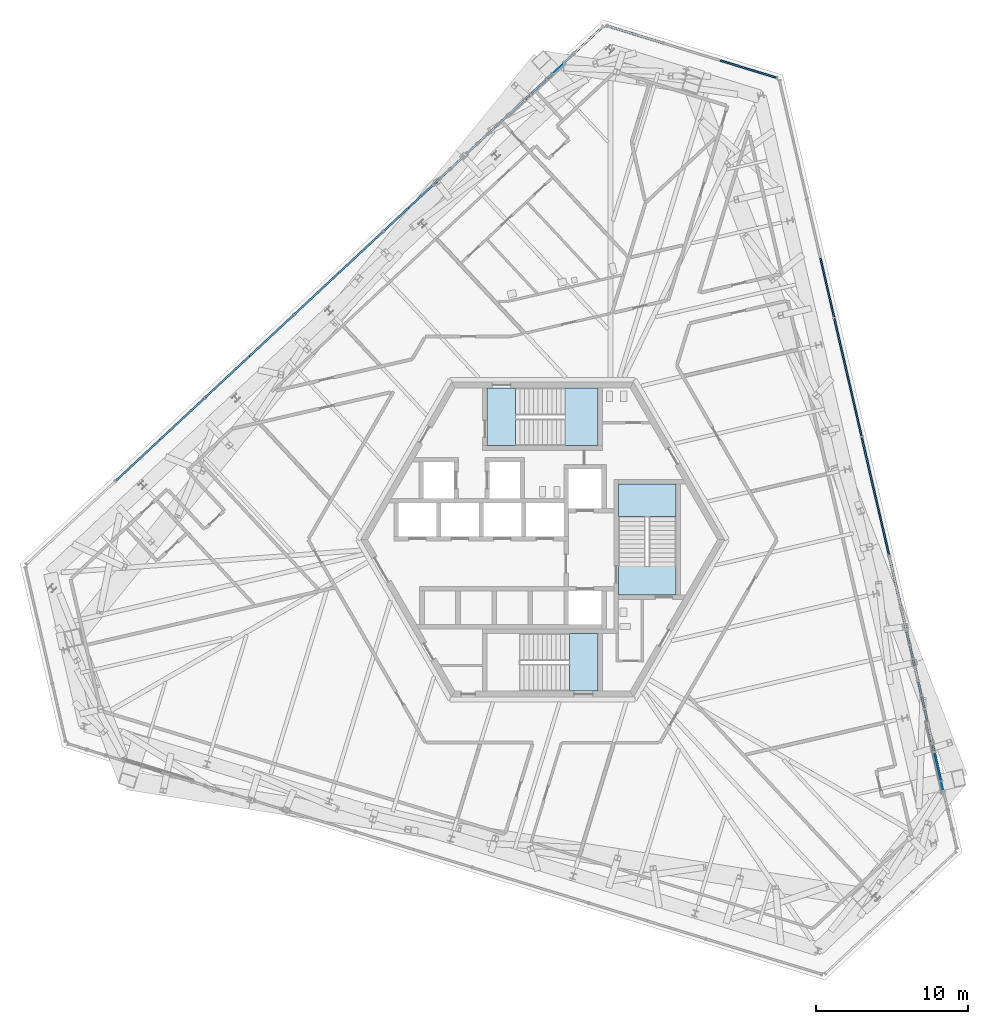
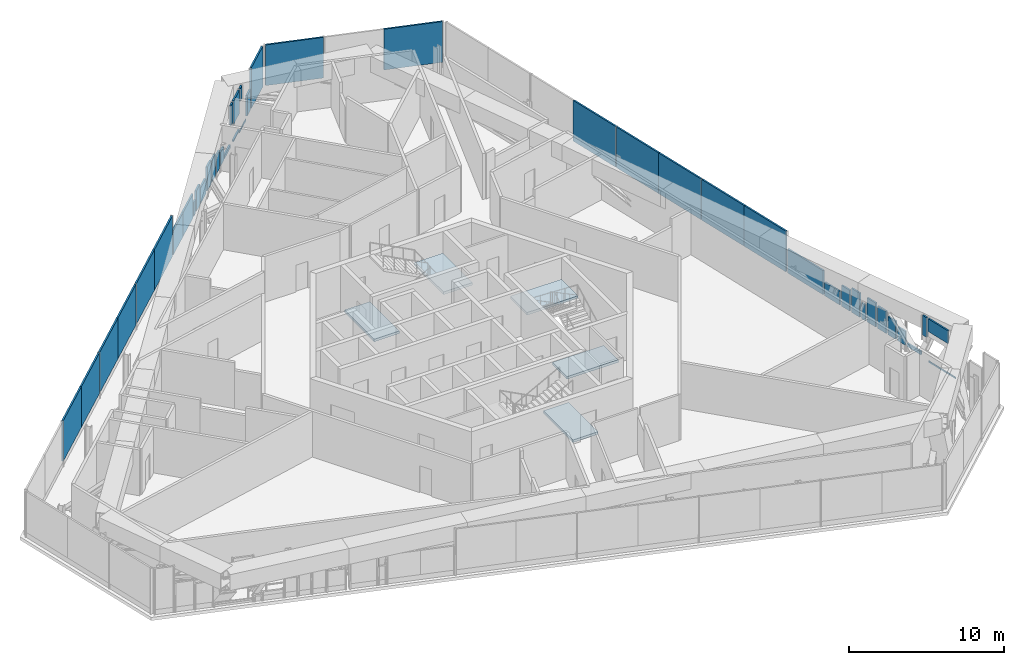
# One storey, part 16 of 31: 43 plates, 5 slabs, 35 elements without a shape of their own.
"""IFC4 building model written with IfcOpenShell, lengths in metres."""

from ifc_helpers import new_model, si_unit, direction, frame, origin, origin_2d, place, context, subcontext, project, spatial, polyline, rectangle, outline, extrude, source, transform, mapped, material, layer, layer_set, type_object, element, aggregate, save


model = new_model("IFC4")

# Units and contexts
model_context = context("Model", 3, precision=1e-05, world=origin(), true_north=direction((0.0, 1.0)))
body_context = subcontext(model_context, "Body", "Model", "MODEL_VIEW")
ifc_project = project(units=[si_unit("LENGTHUNIT", "METRE"), si_unit("AREAUNIT", "SQUARE_METRE"), si_unit("VOLUMEUNIT", "CUBIC_METRE"), si_unit("PLANEANGLEUNIT", "RADIAN"), si_unit("MASSUNIT", "GRAM", prefix="KILO")], contexts=[model_context])

# Site, building, storey
site_placement = place(None, origin())
site = spatial("IfcSite", under=ifc_project, at=site_placement, CompositionType="ELEMENT")
building_placement = place(site_placement, origin())
building = spatial("IfcBuilding", under=site, at=building_placement, Name="Triune Harvest Tower", CompositionType="ELEMENT")
storey_placement = place(building_placement, frame((0.0, 0.0, 134.300048828125)))
storey = spatial("IfcBuildingStorey", under=building, at=storey_placement, Name="L34", CompositionType="ELEMENT", Elevation=134.300048828125)

# Curtain wall, plate
ifc_material_1 = material(Name="Aluminium bronze anodised", Category="aluminium")
curtain_wall_type_1 = type_object("IfcCurtainWallType", Name="CW-5 Plant louvre wall", PredefinedType="NOTDEFINED", material=ifc_material_1)
curtain_wall_1_placement = place(storey_placement, origin())
curtain_wall_1 = element("IfcCurtainWall", 1, at=curtain_wall_1_placement, inside=storey, type_object=curtain_wall_type_1, Name="CW-5 B3-F1 L34 run 301")
ifc_material_2 = material(Name="Aluminium bronze anodised", Category="aluminium")
ifc_layer_1 = layer(ifc_material_2, 0.1201171875)
ifc_layer_set_1 = layer_set([ifc_layer_1], Name="Aluminium bronze anodised")
plate_type_1 = type_object("IfcPlateType", Name="GL-5 panel 120", PredefinedType="CURTAIN_PANEL", material=ifc_layer_set_1)
plate_1_placement = place(storey_placement, frame((26.061767578125, -14.979248046875, 2.594482421875), z_axis=(0.0, 0.0, 1.0), x_axis=(-0.224939324701, 0.974372772712, 0.0)))
plate_1 = element("IfcPlate", 2, at=plate_1_placement, type_object=plate_type_1, Name="CW-5 panel B3-F1 301.1", PredefinedType="CURTAIN_PANEL", context=body_context, shape_type="SweptSolid", body=[
    extrude(rectangle(XDim=1.85302734375, YDim=0.1201171875, at=origin_2d()), origin(), (0.0, 0.0, 1.0), 1.00537109375),
])
aggregate(curtain_wall_1, [plate_1])

curtain_wall_2_placement = place(storey_placement, origin())
curtain_wall_2 = element("IfcCurtainWall", 3, at=curtain_wall_2_placement, inside=storey, type_object=curtain_wall_type_1, Name="CW-5 B3-F1 L34 run 501")
plate_2_placement = place(storey_placement, frame((25.774658203125, -13.73583984375, 2.05517578125), z_axis=(0.0, 0.0, 1.0), x_axis=(-0.224913673807, 0.974378694007, 0.0)))
plate_2 = element("IfcPlate", 4, at=plate_2_placement, type_object=plate_type_1, Name="CW-5 panel B3-F1 501.1", PredefinedType="CURTAIN_PANEL", context=body_context, shape_type="SweptSolid", body=[
    extrude(rectangle(XDim=0.37939453125, YDim=0.1201171875, at=origin_2d()), origin(), (0.0, 0.0, 1.0), 1.544677734375),
])
aggregate(curtain_wall_2, [plate_2])

curtain_wall_3_placement = place(storey_placement, origin())
curtain_wall_3 = element("IfcCurtainWall", 5, at=curtain_wall_3_placement, inside=storey, type_object=curtain_wall_type_1, Name="CW-5 B3-F1 L34 run 601")
plate_3_placement = place(storey_placement, frame((25.5498046875, -12.76171875, 0.39990234375), z_axis=(0.0, 0.0, 1.0), x_axis=(-0.224994563611, 0.974360018856, 0.0)))
plate_3 = element("IfcPlate", 6, at=plate_3_placement, type_object=plate_type_1, Name="CW-5 panel B3-F1 601.1", PredefinedType="CURTAIN_PANEL", context=body_context, shape_type="SweptSolid", body=[
    extrude(rectangle(XDim=1.300048828125, YDim=0.1201171875, at=origin_2d()), origin(), (0.0, 0.0, 1.0), 0.254638671875),
])
aggregate(curtain_wall_3, [plate_3])

curtain_wall_4_placement = place(storey_placement, origin())
curtain_wall_4 = element("IfcCurtainWall", 7, at=curtain_wall_4_placement, inside=storey, type_object=curtain_wall_type_1, Name="CW-5 B3-F1 L34 run 701")
plate_4_placement = place(storey_placement, frame((25.28369140625, -11.608642578125, 0.39990234375), z_axis=(0.0, 0.0, 1.0), x_axis=(-0.22489978426, 0.974381899996, 0.0)))
plate_4 = element("IfcPlate", 8, at=plate_4_placement, type_object=plate_type_1, Name="CW-5 panel B3-F1 701.1", PredefinedType="CURTAIN_PANEL", context=body_context, shape_type="SweptSolid", body=[
    extrude(rectangle(XDim=0.74658203125, YDim=0.1201171875, at=origin_2d()), origin(), (0.0, 0.0, 1.0), 1.087890625),
])
aggregate(curtain_wall_4, [plate_4])

curtain_wall_5_placement = place(storey_placement, origin())
curtain_wall_5 = element("IfcCurtainWall", 9, at=curtain_wall_5_placement, inside=storey, type_object=curtain_wall_type_1, Name="CW-5 B3-F1 L34 run 1101")
plate_5_placement = place(storey_placement, frame((24.47705078125, -8.11474609375, 0.39990234375), z_axis=(0.0, 0.0, 1.0), x_axis=(-0.224832024901, 0.97439753724, 0.0)))
plate_5 = element("IfcPlate", 10, at=plate_5_placement, type_object=plate_type_1, Name="CW-5 panel B3-F1 1101.1", PredefinedType="CURTAIN_PANEL", context=body_context, shape_type="SweptSolid", body=[
    extrude(rectangle(XDim=0.37158203125, YDim=0.1201171875, at=origin_2d()), origin(), (0.0, 0.0, 1.0), 1.2255859375),
])
aggregate(curtain_wall_5, [plate_5])

curtain_wall_6_placement = place(storey_placement, origin())
curtain_wall_6 = element("IfcCurtainWall", 11, at=curtain_wall_6_placement, inside=storey, type_object=curtain_wall_type_1, Name="CW-5 B3-F1 L34 run 1201")
plate_6_placement = place(storey_placement, frame((24.311279296875, -7.396728515625, 0.39990234375), z_axis=(0.0, 0.0, 1.0), x_axis=(-0.224960301107, 0.974367929956, 0.0)))
plate_6 = element("IfcPlate", 12, at=plate_6_placement, type_object=plate_type_1, Name="CW-5 panel B3-F1 1201.1", PredefinedType="CURTAIN_PANEL", context=body_context, shape_type="SweptSolid", body=[
    extrude(rectangle(XDim=0.781982421875, YDim=0.1201171875, at=origin_2d()), origin(), (0.0, 0.0, 1.0), 1.889892578125),
])
aggregate(curtain_wall_6, [plate_6])

curtain_wall_7_placement = place(storey_placement, origin())
curtain_wall_7 = element("IfcCurtainWall", 13, at=curtain_wall_7_placement, inside=storey, type_object=curtain_wall_type_1, Name="CW-5 B3-F1 L34 run 1301")
plate_7_placement = place(storey_placement, frame((24.099365234375, -6.47900390625, 0.39990234375), z_axis=(0.0, 0.0, 1.0), x_axis=(-0.224960301107, 0.974367929956, 0.0)))
plate_7 = element("IfcPlate", 14, at=plate_7_placement, type_object=plate_type_1, Name="CW-5 panel B3-F1 1301.1", PredefinedType="CURTAIN_PANEL", context=body_context, shape_type="SweptSolid", body=[
    extrude(rectangle(XDim=0.781982421875, YDim=0.1201171875, at=origin_2d()), origin(), (0.0, 0.0, 1.0), 1.63720703125),
])
aggregate(curtain_wall_7, [plate_7])

curtain_wall_8_placement = place(storey_placement, origin())
curtain_wall_8 = element("IfcCurtainWall", 15, at=curtain_wall_8_placement, inside=storey, type_object=curtain_wall_type_1, Name="CW-5 B3-F1 L34 run 1401")
plate_8_placement = place(storey_placement, frame((23.816162109375, -5.252685546875, 0.39990234375), z_axis=(0.0, 0.0, 1.0), x_axis=(-0.224942969479, 0.974371931288, 0.0)))
plate_8 = element("IfcPlate", 16, at=plate_8_placement, type_object=plate_type_1, Name="CW-5 panel B3-F1 1401.1", PredefinedType="CURTAIN_PANEL", context=body_context, shape_type="SweptSolid", body=[
    extrude(rectangle(XDim=1.4150390625, YDim=0.1201171875, at=origin_2d()), origin(), (0.0, 0.0, 1.0), 1.067138671875),
])
aggregate(curtain_wall_8, [plate_8])

curtain_wall_9_placement = place(storey_placement, origin())
curtain_wall_9 = element("IfcCurtainWall", 17, at=curtain_wall_9_placement, inside=storey, type_object=curtain_wall_type_1, Name="CW-5 B3-F1 L34 run 1501")
plate_9_placement = place(storey_placement, frame((23.24462890625, -2.77685546875, 0.39990234375), z_axis=(0.0, 0.0, 1.0), x_axis=(-0.224965707407, 0.974366681743, 0.0)))
plate_9 = element("IfcPlate", 18, at=plate_9_placement, type_object=plate_type_1, Name="CW-5 panel B3-F1 1501.1", PredefinedType="CURTAIN_PANEL", context=body_context, shape_type="SweptSolid", body=[
    extrude(rectangle(XDim=3.34716796875, YDim=0.1201171875, at=origin_2d()), origin(), (0.0, 0.0, 1.0), 1.889892578125),
])
aggregate(curtain_wall_9, [plate_9])

curtain_wall_10_placement = place(storey_placement, origin())
curtain_wall_10 = element("IfcCurtainWall", 19, at=curtain_wall_10_placement, inside=storey, type_object=curtain_wall_type_1, Name="CW-5 B3-F2 L34 run 1")
plate_10_placement = place(storey_placement, frame((6.075927734375, 33.31201171875, 0.39990234375), z_axis=(0.0, 0.0, 1.0), x_axis=(-0.956303148607, 0.292376962095, 0.0)))
plate_10 = element("IfcPlate", 20, at=plate_10_placement, type_object=plate_type_1, Name="CW-5 panel B3-F2 1.3", PredefinedType="CURTAIN_PANEL", context=body_context, shape_type="SweptSolid", body=[
    extrude(rectangle(XDim=3.8291015625, YDim=0.1201171875, at=origin_2d()), origin(), (0.0, 0.0, 1.0), 3.199951171875),
])

curtain_wall_11_placement = place(storey_placement, origin())
curtain_wall_11 = element("IfcCurtainWall", 21, at=curtain_wall_11_placement, inside=storey, type_object=curtain_wall_type_1, Name="CW-5 B3-F3 L34 run 1")
plate_11_placement = place(storey_placement, frame((3.0400390625, 32.94921875, 0.39990234375), z_axis=(0.0, 0.0, 1.0), x_axis=(-0.731367701804, -0.681983346393, 0.0)))
plate_11 = element("IfcPlate", 22, at=plate_11_placement, type_object=plate_type_1, Name="CW-5 panel B3-F3 1.1", PredefinedType="CURTAIN_PANEL", context=body_context, shape_type="SweptSolid", body=[
    extrude(rectangle(XDim=2.510986328125, YDim=0.1201171875, at=origin_2d()), origin(), (0.0, 0.0, 1.0), 3.199951171875),
])
aggregate(curtain_wall_11, [plate_11])

curtain_wall_12_placement = place(storey_placement, origin())
curtain_wall_12 = element("IfcCurtainWall", 23, at=curtain_wall_12_placement, inside=storey, type_object=curtain_wall_type_1, Name="CW-5 B3-F3 L34 run 101")
plate_12_placement = place(storey_placement, frame((1.738525390625, 31.735595703125, 0.39990234375), z_axis=(0.0, 0.0, 1.0), x_axis=(-0.731324680325, -0.682029480263, 0.0)))
plate_12 = element("IfcPlate", 24, at=plate_12_placement, type_object=plate_type_1, Name="CW-5 panel B3-F3 101.1", PredefinedType="CURTAIN_PANEL", context=body_context, shape_type="SweptSolid", body=[
    extrude(rectangle(XDim=0.728515625, YDim=0.1201171875, at=origin_2d()), origin(), (0.0, 0.0, 1.0), 1.622802734375),
])
aggregate(curtain_wall_12, [plate_12])

curtain_wall_13_placement = place(storey_placement, origin())
curtain_wall_13 = element("IfcCurtainWall", 25, at=curtain_wall_13_placement, inside=storey, type_object=curtain_wall_type_1, Name="CW-5 B3-F3 L34 run 201")
plate_13_placement = place(storey_placement, frame((0.470458984375, 30.552978515625, 2.5947265625), z_axis=(0.0, 0.0, 1.0), x_axis=(-0.731313618515, -0.682041341397, 0.0)))
plate_13 = element("IfcPlate", 26, at=plate_13_placement, type_object=plate_type_1, Name="CW-5 panel B3-F3 201.1", PredefinedType="CURTAIN_PANEL", context=body_context, shape_type="SweptSolid", body=[
    extrude(rectangle(XDim=0.40625, YDim=0.1201171875, at=origin_2d()), origin(), (0.0, 0.0, 1.0), 1.00537109375),
])
aggregate(curtain_wall_13, [plate_13])

curtain_wall_14_placement = place(storey_placement, origin())
curtain_wall_14 = element("IfcCurtainWall", 27, at=curtain_wall_14_placement, inside=storey, type_object=curtain_wall_type_1, Name="CW-5 B3-F3 L34 run 301")
plate_14_placement = place(storey_placement, frame((-0.265625, 29.86669921875, 0.39990234375), z_axis=(0.0, 0.0, 1.0), x_axis=(-0.731351706392, -0.682000499676, 0.0)))
plate_14 = element("IfcPlate", 28, at=plate_14_placement, type_object=plate_type_1, Name="CW-5 panel B3-F3 301.1", PredefinedType="CURTAIN_PANEL", context=body_context, shape_type="SweptSolid", body=[
    extrude(rectangle(XDim=1.286865234375, YDim=0.1201171875, at=origin_2d()), origin(), (0.0, 0.0, 1.0), 0.12353515625),
])
aggregate(curtain_wall_14, [plate_14])

curtain_wall_15_placement = place(storey_placement, origin())
curtain_wall_15 = element("IfcCurtainWall", 29, at=curtain_wall_15_placement, inside=storey, type_object=curtain_wall_type_1, Name="CW-5 B3-F3 L34 run 401")
plate_15_placement = place(storey_placement, frame((-0.265625, 29.86669921875, 1.771484375), z_axis=(0.0, 0.0, 1.0), x_axis=(-0.731351706392, -0.682000499676, 0.0)))
plate_15 = element("IfcPlate", 30, at=plate_15_placement, type_object=plate_type_1, Name="CW-5 panel B3-F3 401.1", PredefinedType="CURTAIN_PANEL", context=body_context, shape_type="SweptSolid", body=[
    extrude(rectangle(XDim=1.286865234375, YDim=0.1201171875, at=origin_2d()), origin(), (0.0, 0.0, 1.0), 1.828369140625),
])
aggregate(curtain_wall_15, [plate_15])

curtain_wall_16_placement = place(storey_placement, origin())
curtain_wall_16 = element("IfcCurtainWall", 31, at=curtain_wall_16_placement, inside=storey, type_object=curtain_wall_type_1, Name="CW-5 B3-F3 L34 run 601")
plate_16_placement = place(storey_placement, frame((-0.991943359375, 29.189453125, 2.055419921875), z_axis=(0.0, 0.0, 1.0), x_axis=(-0.731425091209, -0.681921796066, 0.0)))
plate_16 = element("IfcPlate", 32, at=plate_16_placement, type_object=plate_type_1, Name="CW-5 panel B3-F3 601.1", PredefinedType="CURTAIN_PANEL", context=body_context, shape_type="SweptSolid", body=[
    extrude(rectangle(XDim=0.37939453125, YDim=0.1201171875, at=origin_2d()), origin(), (0.0, 0.0, 1.0), 1.54443359375),
])
aggregate(curtain_wall_16, [plate_16])

curtain_wall_17_placement = place(storey_placement, origin())
curtain_wall_17 = element("IfcCurtainWall", 33, at=curtain_wall_17_placement, inside=storey, type_object=curtain_wall_type_1, Name="CW-5 B3-F3 L34 run 701")
plate_17_placement = place(storey_placement, frame((-1.722900390625, 28.507568359375, 0.39990234375), z_axis=(0.0, 0.0, 1.0), x_axis=(-0.731335374519, -0.682018012942, 0.0)))
plate_17 = element("IfcPlate", 34, at=plate_17_placement, type_object=plate_type_1, Name="CW-5 panel B3-F3 701.1", PredefinedType="CURTAIN_PANEL", context=body_context, shape_type="SweptSolid", body=[
    extrude(rectangle(XDim=1.300048828125, YDim=0.1201171875, at=origin_2d()), origin(), (0.0, 0.0, 1.0), 0.255615234375),
])
aggregate(curtain_wall_17, [plate_17])

curtain_wall_18_placement = place(storey_placement, origin())
curtain_wall_18 = element("IfcCurtainWall", 35, at=curtain_wall_18_placement, inside=storey, type_object=curtain_wall_type_1, Name="CW-5 B3-F3 L34 run 801")
plate_18_placement = place(storey_placement, frame((-2.58837890625, 27.70068359375, 0.39990234375), z_axis=(0.0, 0.0, 1.0), x_axis=(-0.731326610512, -0.682027410561, 0.0)))
plate_18 = element("IfcPlate", 36, at=plate_18_placement, type_object=plate_type_1, Name="CW-5 panel B3-F3 801.1", PredefinedType="CURTAIN_PANEL", context=body_context, shape_type="SweptSolid", body=[
    extrude(rectangle(XDim=0.746826171875, YDim=0.1201171875, at=origin_2d()), origin(), (0.0, 0.0, 1.0), 1.087890625),
])
aggregate(curtain_wall_18, [plate_18])

curtain_wall_19_placement = place(storey_placement, origin())
curtain_wall_19 = element("IfcCurtainWall", 37, at=curtain_wall_19_placement, inside=storey, type_object=curtain_wall_type_1, Name="CW-5 B3-F3 L34 run 1201")
plate_19_placement = place(storey_placement, frame((-5.62451171875, 24.869384765625, 0.39990234375), z_axis=(0.0, 0.0, 1.0), x_axis=(-0.731383853071, -0.681966025156, 0.0)))
plate_19 = element("IfcPlate", 38, at=plate_19_placement, type_object=plate_type_1, Name="CW-5 panel B3-F3 1201.1", PredefinedType="CURTAIN_PANEL", context=body_context, shape_type="SweptSolid", body=[
    extrude(rectangle(XDim=1.125, YDim=0.1201171875, at=origin_2d()), origin(), (0.0, 0.0, 1.0), 1.2255859375),
])
aggregate(curtain_wall_19, [plate_19])

curtain_wall_20_placement = place(storey_placement, origin())
curtain_wall_20 = element("IfcCurtainWall", 39, at=curtain_wall_20_placement, inside=storey, type_object=curtain_wall_type_1, Name="CW-5 B3-F3 L34 run 1301")
plate_20_placement = place(storey_placement, frame((-6.438720703125, 24.110107421875, 0.39990234375), z_axis=(0.0, 0.0, 1.0), x_axis=(-0.731358807703, -0.681992884417, 0.0)))
plate_20 = element("IfcPlate", 40, at=plate_20_placement, type_object=plate_type_1, Name="CW-5 panel B3-F3 1301.1", PredefinedType="CURTAIN_PANEL", context=body_context, shape_type="SweptSolid", body=[
    extrude(rectangle(XDim=0.781982421875, YDim=0.1201171875, at=origin_2d()), origin(), (0.0, 0.0, 1.0), 1.636474609375),
])
aggregate(curtain_wall_20, [plate_20])

curtain_wall_21_placement = place(storey_placement, origin())
curtain_wall_21 = element("IfcCurtainWall", 41, at=curtain_wall_21_placement, inside=storey, type_object=curtain_wall_type_1, Name="CW-5 B3-F3 L34 run 1401")
plate_21_placement = place(storey_placement, frame((-6.985595703125, 23.60009765625, 0.39990234375), z_axis=(0.0, 0.0, 1.0), x_axis=(-0.731331501562, -0.682022165933, 0.0)))
plate_21 = element("IfcPlate", 42, at=plate_21_placement, type_object=plate_type_1, Name="CW-5 panel B3-F3 1401.1", PredefinedType="CURTAIN_PANEL", context=body_context, shape_type="SweptSolid", body=[
    extrude(rectangle(XDim=0.3935546875, YDim=0.1201171875, at=origin_2d()), origin(), (0.0, 0.0, 1.0), 1.06689453125),
])
aggregate(curtain_wall_21, [plate_21])

ifc_material_3 = material(Name="Aluminium bronze anodised", Category="aluminium")
curtain_wall_type_2 = type_object("IfcCurtainWallType", Name="CW-6 Balcony window wall", PredefinedType="NOTDEFINED", material=ifc_material_3)
curtain_wall_22_placement = place(storey_placement, origin())
curtain_wall_22 = element("IfcCurtainWall", 43, at=curtain_wall_22_placement, inside=storey, type_object=curtain_wall_type_2, Name="CW-6 B3-F3 L34 run 1701")
ifc_material_4 = material(Name="Glass", Category="glass")
ifc_layer_2 = layer(ifc_material_4, 0.030029296875)
ifc_layer_set_2 = layer_set([ifc_layer_2], Name="Glass")
plate_type_2 = type_object("IfcPlateType", Name="GL-6 panel 30", PredefinedType="CURTAIN_PANEL", material=ifc_layer_set_2)
plate_22_placement = place(storey_placement, frame((0.838623046875, 30.896240234375, 0.14990234375), z_axis=(0.0, 0.0, 1.0), x_axis=(-0.731349134448, -0.682003257721, 0.0)))
plate_22 = element("IfcPlate", 44, at=plate_22_placement, type_object=plate_type_2, Name="CW-6 panel B3-F3 1701.1", PredefinedType="CURTAIN_PANEL", context=body_context, shape_type="SweptSolid", body=[
    extrude(rectangle(XDim=1.422607421875, YDim=0.030029296875, at=origin_2d()), origin(), (0.0, 0.0, 1.0), 0.12548828125),
])
aggregate(curtain_wall_22, [plate_22])

# Stair, slabs
ifc_material_5 = material(Name="Concrete 40 MPa", Category="concrete")
stair_type = type_object("IfcStairType", Name="Exit stair 1800 half turn", PredefinedType="HALF_TURN_STAIR", material=ifc_material_5)
stair_1_placement = place(storey_placement, origin())
stair_1 = element("IfcStair", 45, at=stair_1_placement, inside=storey, type_object=stair_type, Name="Exit stair north", PredefinedType="HALF_TURN_STAIR")
ifc_material_6 = material(Name="Concrete 40 MPa", Category="concrete")
ifc_layer_3 = layer(ifc_material_6, 0.199951171875)
ifc_layer_set_3 = layer_set([ifc_layer_3], Name="Concrete 40 MPa")
slab_type = type_object("IfcSlabType", Name="Stair landing 200", PredefinedType="LANDING", material=ifc_layer_set_3)
shared_shape_1 = source(origin(), body_context, "Body", "SweptSolid", [
    extrude(outline(polyline([(1.510009765625, 6.18994140625), (3.64990234375, 6.18994140625), (3.64990234375, 9.989990234375), (1.510009765625, 9.989990234375), (1.510009765625, 6.18994140625)])), origin(), (0.0, 0.0, 1.0), 0.199951171875),
])
slab_1_placement = place(storey_placement, frame((0.0, 0.0, 1.699951171875)))
slab_1 = element("IfcSlab", 46, at=slab_1_placement, type_object=slab_type, Name="ST-1 landing 2", PredefinedType="LANDING", context=body_context, shape_type="MappedRepresentation", body=[
    mapped(shared_shape_1, transform((0.0, 0.0, 0.0), scale=1.0)),
])
shared_shape_2 = source(origin(), body_context, "Body", "SweptSolid", [
    extrude(outline(polyline([(-3.64990234375, 6.18994140625), (-1.780029296875, 6.18994140625), (-1.780029296875, 9.989990234375), (-3.64990234375, 9.989990234375), (-3.64990234375, 6.18994140625)])), origin(), (0.0, 0.0, 1.0), 0.199951171875),
])
slab_2_placement = place(storey_placement, frame((0.0, 0.0, -0.199951171875)))
slab_2 = element("IfcSlab", 47, at=slab_2_placement, type_object=slab_type, Name="ST-1 landing 1", PredefinedType="LANDING", context=body_context, shape_type="MappedRepresentation", body=[
    mapped(shared_shape_2, transform((0.0, 0.0, 0.0), scale=1.0)),
])
aggregate(stair_1, [slab_2, slab_1])

# Stair, slab
stair_2_placement = place(storey_placement, origin())
stair_2 = element("IfcStair", 48, at=stair_2_placement, inside=storey, type_object=stair_type, Name="Exit stair south", PredefinedType="HALF_TURN_STAIR")
shared_shape_3 = source(origin(), body_context, "Body", "SweptSolid", [
    extrude(outline(polyline([(3.64990234375, -6.18994140625), (1.780029296875, -6.18994140625), (1.780029296875, -9.989990234375), (3.64990234375, -9.989990234375), (3.64990234375, -6.18994140625)])), origin(), (0.0, 0.0, 1.0), 0.199951171875),
])
slab_3_placement = place(storey_placement, frame((0.0, 0.0, -0.199951171875)))
slab_3 = element("IfcSlab", 49, at=slab_3_placement, type_object=slab_type, Name="ST-2 landing 1", PredefinedType="LANDING", context=body_context, shape_type="MappedRepresentation", body=[
    mapped(shared_shape_3, transform((0.0, 0.0, 0.0), scale=1.0)),
])
aggregate(stair_2, [slab_3])

# Stair, slabs
stair_3_placement = place(storey_placement, origin())
stair_3 = element("IfcStair", 50, at=stair_3_placement, inside=storey, type_object=stair_type, Name="Exit stair east", PredefinedType="HALF_TURN_STAIR")
shared_shape_4 = source(origin(), body_context, "Body", "SweptSolid", [
    extrude(outline(polyline([(8.800048828125, 1.510009765625), (8.800048828125, 3.64990234375), (5.0, 3.64990234375), (5.0, 1.510009765625), (8.800048828125, 1.510009765625)])), origin(), (0.0, 0.0, 1.0), 0.199951171875),
])
slab_4_placement = place(storey_placement, frame((0.0, 0.0, 1.699951171875)))
slab_4 = element("IfcSlab", 51, at=slab_4_placement, type_object=slab_type, Name="ST-3 landing 2", PredefinedType="LANDING", context=body_context, shape_type="MappedRepresentation", body=[
    mapped(shared_shape_4, transform((0.0, 0.0, 0.0), scale=1.0)),
])
shared_shape_5 = source(origin(), body_context, "Body", "SweptSolid", [
    extrude(outline(polyline([(8.800048828125, -3.64990234375), (8.800048828125, -1.780029296875), (5.0, -1.780029296875), (5.0, -3.64990234375), (8.800048828125, -3.64990234375)])), origin(), (0.0, 0.0, 1.0), 0.199951171875),
])
slab_5_placement = place(storey_placement, frame((0.0, 0.0, -0.199951171875)))
slab_5 = element("IfcSlab", 52, at=slab_5_placement, type_object=slab_type, Name="ST-3 landing 1", PredefinedType="LANDING", context=body_context, shape_type="MappedRepresentation", body=[
    mapped(shared_shape_5, transform((0.0, 0.0, 0.0), scale=1.0)),
])
aggregate(stair_3, [slab_5, slab_4])

# Curtain wall, plate
curtain_wall_23_placement = place(storey_placement, origin())
curtain_wall_23 = element("IfcCurtainWall", 53, at=curtain_wall_23_placement, inside=storey, type_object=curtain_wall_type_1, Name="CW-5 B3-F1 L34 run 801")
shared_shape_6 = source(origin(), body_context, "Body", "SweptSolid", [
    extrude(rectangle(XDim=0.74658203125, YDim=0.1201171875, at=origin_2d()), origin(), (0.0, 0.0, 1.0), 1.417236328125),
])
plate_23_placement = place(storey_placement, frame((25.07958984375, -10.725341796875, 0.39990234375), z_axis=(0.0, 0.0, 1.0), x_axis=(-0.225004500508, 0.974357724222, 0.0)))
plate_23 = element("IfcPlate", 54, at=plate_23_placement, type_object=plate_type_1, Name="CW-5 panel B3-F1 801.1", PredefinedType="CURTAIN_PANEL", context=body_context, shape_type="MappedRepresentation", body=[
    mapped(shared_shape_6, transform((0.0, 0.0, 0.0), scale=1.0)),
])
aggregate(curtain_wall_23, [plate_23])

curtain_wall_24_placement = place(storey_placement, origin())
curtain_wall_24 = element("IfcCurtainWall", 55, at=curtain_wall_24_placement, inside=storey, type_object=curtain_wall_type_1, Name="CW-5 B3-F3 L34 run 901")
plate_24_placement = place(storey_placement, frame((-3.25146484375, 27.082275390625, 0.39990234375), z_axis=(0.0, 0.0, 1.0), x_axis=(-0.731381622766, -0.681968417069, 0.0)))
plate_24 = element("IfcPlate", 56, at=plate_24_placement, type_object=plate_type_1, Name="CW-5 panel B3-F3 901.1", PredefinedType="CURTAIN_PANEL", context=body_context, shape_type="MappedRepresentation", body=[
    mapped(shared_shape_6, transform((0.0, 0.0, 0.0), scale=1.0)),
])
aggregate(curtain_wall_24, [plate_24])

curtain_wall_25_placement = place(storey_placement, origin())
curtain_wall_25 = element("IfcCurtainWall", 57, at=curtain_wall_25_placement, inside=storey, type_object=curtain_wall_type_1, Name="CW-5 B3-F1 L34 run 901")
shared_shape_7 = source(origin(), body_context, "Body", "SweptSolid", [
    extrude(rectangle(XDim=0.820068359375, YDim=0.1201171875, at=origin_2d()), origin(), (0.0, 0.0, 1.0), 1.74658203125),
])
plate_25_placement = place(storey_placement, frame((24.867431640625, -9.80615234375, 0.39990234375), z_axis=(0.0, 0.0, 1.0), x_axis=(-0.224971277229, 0.974365395743, 0.0)))
plate_25 = element("IfcPlate", 58, at=plate_25_placement, type_object=plate_type_1, Name="CW-5 panel B3-F1 901.1", PredefinedType="CURTAIN_PANEL", context=body_context, shape_type="MappedRepresentation", body=[
    mapped(shared_shape_7, transform((0.0, 0.0, 0.0), scale=1.0)),
])
aggregate(curtain_wall_25, [plate_25])

curtain_wall_26_placement = place(storey_placement, origin())
curtain_wall_26 = element("IfcCurtainWall", 59, at=curtain_wall_26_placement, inside=storey, type_object=curtain_wall_type_1, Name="CW-5 B3-F3 L34 run 1001")
plate_26_placement = place(storey_placement, frame((-3.94140625, 26.43896484375, 0.39990234375), z_axis=(0.0, 0.0, 1.0), x_axis=(-0.731316457271, -0.68203829755, 0.0)))
plate_26 = element("IfcPlate", 60, at=plate_26_placement, type_object=plate_type_1, Name="CW-5 panel B3-F3 1001.1", PredefinedType="CURTAIN_PANEL", context=body_context, shape_type="MappedRepresentation", body=[
    mapped(shared_shape_7, transform((0.0, 0.0, 0.0), scale=1.0)),
])
aggregate(curtain_wall_26, [plate_26])

curtain_wall_27_placement = place(storey_placement, origin())
curtain_wall_27 = element("IfcCurtainWall", 61, at=curtain_wall_27_placement, inside=storey, type_object=curtain_wall_type_1, Name="CW-5 B3-F1 L34 run 1001")
shared_shape_8 = source(origin(), body_context, "Body", "SweptSolid", [
    extrude(rectangle(XDim=0.820068359375, YDim=0.1201171875, at=origin_2d()), origin(), (0.0, 0.0, 1.0), 1.889892578125),
])
plate_27_placement = place(storey_placement, frame((24.64697265625, -8.85107421875, 0.39990234375), z_axis=(0.0, 0.0, 1.0), x_axis=(-0.224971277229, 0.974365395743, 0.0)))
plate_27 = element("IfcPlate", 62, at=plate_27_placement, type_object=plate_type_1, Name="CW-5 panel B3-F1 1001.1", PredefinedType="CURTAIN_PANEL", context=body_context, shape_type="MappedRepresentation", body=[
    mapped(shared_shape_8, transform((0.0, 0.0, 0.0), scale=1.0)),
])
aggregate(curtain_wall_27, [plate_27])

curtain_wall_28_placement = place(storey_placement, origin())
curtain_wall_28 = element("IfcCurtainWall", 63, at=curtain_wall_28_placement, inside=storey, type_object=curtain_wall_type_1, Name="CW-5 B3-F3 L34 run 1101")
plate_28_placement = place(storey_placement, frame((-4.658203125, 25.7705078125, 0.39990234375), z_axis=(0.0, 0.0, 1.0), x_axis=(-0.731414797574, -0.681932836789, 0.0)))
plate_28 = element("IfcPlate", 64, at=plate_28_placement, type_object=plate_type_1, Name="CW-5 panel B3-F3 1101.1", PredefinedType="CURTAIN_PANEL", context=body_context, shape_type="MappedRepresentation", body=[
    mapped(shared_shape_8, transform((0.0, 0.0, 0.0), scale=1.0)),
])
aggregate(curtain_wall_28, [plate_28])

curtain_wall_29_placement = place(storey_placement, origin())
curtain_wall_29 = element("IfcCurtainWall", 65, at=curtain_wall_29_placement, inside=storey, type_object=curtain_wall_type_1, Name="CW-5 B3-F1 L34 run 1601")
shared_shape_9 = source(origin(), body_context, "Body", "SweptSolid", [
    extrude(rectangle(XDim=3.9462890625, YDim=0.1201171875, at=origin_2d()), origin(), (0.0, 0.0, 1.0), 3.199951171875),
])
plate_29_placement = place(storey_placement, frame((22.38818359375, 0.932373046875, 0.39990234375), z_axis=(0.0, 0.0, 1.0), x_axis=(-0.224951333599, 0.974370000314, 0.0)))
plate_29 = element("IfcPlate", 66, at=plate_29_placement, type_object=plate_type_1, Name="CW-5 panel B3-F1 1601.1", PredefinedType="CURTAIN_PANEL", context=body_context, shape_type="MappedRepresentation", body=[
    mapped(shared_shape_9, transform((0.0, 0.0, 0.0), scale=1.0)),
])

curtain_wall_30_placement = place(storey_placement, origin())
curtain_wall_30 = element("IfcCurtainWall", 67, at=curtain_wall_30_placement, inside=storey, type_object=curtain_wall_type_1, Name="CW-5 B3-F3 L34 run 1601")
plate_30_placement = place(storey_placement, frame((-12.001708984375, 18.922607421875, 0.39990234375), z_axis=(0.0, 0.0, 1.0), x_axis=(-0.731353970951, -0.681998071239, 0.0)))
plate_30 = element("IfcPlate", 68, at=plate_30_placement, type_object=plate_type_1, Name="CW-5 panel B3-F3 1601.1", PredefinedType="CURTAIN_PANEL", context=body_context, shape_type="MappedRepresentation", body=[
    mapped(shared_shape_9, transform((0.0, 0.0, 0.0), scale=1.0)),
])

# Plate
shared_shape_10 = source(origin(), body_context, "Body", "SweptSolid", [
    extrude(rectangle(XDim=3.986328125, YDim=0.1201171875, at=origin_2d()), origin(), (0.0, 0.0, 1.0), 3.199951171875),
])
plate_31_placement = place(storey_placement, frame((21.49609375, 4.797119140625, 0.39990234375), z_axis=(0.0, 0.0, 1.0), x_axis=(-0.224951333599, 0.974370000314, 0.0)))
plate_31 = element("IfcPlate", 69, at=plate_31_placement, type_object=plate_type_1, Name="CW-5 panel B3-F1 1601.2", PredefinedType="CURTAIN_PANEL", context=body_context, shape_type="MappedRepresentation", body=[
    mapped(shared_shape_10, transform((0.0, 0.0, 0.0), scale=1.0)),
])

plate_32_placement = place(storey_placement, frame((20.581298828125, 8.75927734375, 0.39990234375), z_axis=(0.0, 0.0, 1.0), x_axis=(-0.224951333599, 0.974370000314, 0.0)))
plate_32 = element("IfcPlate", 70, at=plate_32_placement, type_object=plate_type_1, Name="CW-5 panel B3-F1 1601.3", PredefinedType="CURTAIN_PANEL", context=body_context, shape_type="MappedRepresentation", body=[
    mapped(shared_shape_10, transform((0.0, 0.0, 0.0), scale=1.0)),
])

plate_33_placement = place(storey_placement, frame((19.6845703125, 12.6435546875, 0.39990234375), z_axis=(0.0, 0.0, 1.0), x_axis=(-0.224951333599, 0.974370000314, 0.0)))
plate_33 = element("IfcPlate", 71, at=plate_33_placement, type_object=plate_type_1, Name="CW-5 panel B3-F1 1601.4", PredefinedType="CURTAIN_PANEL", context=body_context, shape_type="MappedRepresentation", body=[
    mapped(shared_shape_10, transform((0.0, 0.0, 0.0), scale=1.0)),
])

plate_34_placement = place(storey_placement, frame((18.769775390625, 16.605712890625, 0.39990234375), z_axis=(0.0, 0.0, 1.0), x_axis=(-0.224951333599, 0.974370000314, 0.0)))
plate_34 = element("IfcPlate", 72, at=plate_34_placement, type_object=plate_type_1, Name="CW-5 panel B3-F1 1601.5", PredefinedType="CURTAIN_PANEL", context=body_context, shape_type="MappedRepresentation", body=[
    mapped(shared_shape_10, transform((0.0, 0.0, 0.0), scale=1.0)),
])

aggregate(curtain_wall_29, [plate_29, plate_31, plate_32, plate_33, plate_34])

plate_35_placement = place(storey_placement, frame((-14.902587890625, 16.217529296875, 0.39990234375), z_axis=(0.0, 0.0, 1.0), x_axis=(-0.731353970951, -0.681998071239, 0.0)))
plate_35 = element("IfcPlate", 73, at=plate_35_placement, type_object=plate_type_1, Name="CW-5 panel B3-F3 1601.2", PredefinedType="CURTAIN_PANEL", context=body_context, shape_type="MappedRepresentation", body=[
    mapped(shared_shape_10, transform((0.0, 0.0, 0.0), scale=1.0)),
])

plate_36_placement = place(storey_placement, frame((-17.87646484375, 13.4443359375, 0.39990234375), z_axis=(0.0, 0.0, 1.0), x_axis=(-0.731353970951, -0.681998071239, 0.0)))
plate_36 = element("IfcPlate", 74, at=plate_36_placement, type_object=plate_type_1, Name="CW-5 panel B3-F3 1601.3", PredefinedType="CURTAIN_PANEL", context=body_context, shape_type="MappedRepresentation", body=[
    mapped(shared_shape_10, transform((0.0, 0.0, 0.0), scale=1.0)),
])

plate_37_placement = place(storey_placement, frame((-20.7919921875, 10.7255859375, 0.39990234375), z_axis=(0.0, 0.0, 1.0), x_axis=(-0.731353970951, -0.681998071239, 0.0)))
plate_37 = element("IfcPlate", 75, at=plate_37_placement, type_object=plate_type_1, Name="CW-5 panel B3-F3 1601.4", PredefinedType="CURTAIN_PANEL", context=body_context, shape_type="MappedRepresentation", body=[
    mapped(shared_shape_10, transform((0.0, 0.0, 0.0), scale=1.0)),
])

plate_38_placement = place(storey_placement, frame((-23.765869140625, 7.952392578125, 0.39990234375), z_axis=(0.0, 0.0, 1.0), x_axis=(-0.731353970951, -0.681998071239, 0.0)))
plate_38 = element("IfcPlate", 76, at=plate_38_placement, type_object=plate_type_1, Name="CW-5 panel B3-F3 1601.5", PredefinedType="CURTAIN_PANEL", context=body_context, shape_type="MappedRepresentation", body=[
    mapped(shared_shape_10, transform((0.0, 0.0, 0.0), scale=1.0)),
])

plate_39_placement = place(storey_placement, frame((-26.681396484375, 5.233642578125, 0.39990234375), z_axis=(0.0, 0.0, 1.0), x_axis=(-0.731353970951, -0.681998071239, 0.0)))
plate_39 = element("IfcPlate", 77, at=plate_39_placement, type_object=plate_type_1, Name="CW-5 panel B3-F3 1601.6", PredefinedType="CURTAIN_PANEL", context=body_context, shape_type="MappedRepresentation", body=[
    mapped(shared_shape_10, transform((0.0, 0.0, 0.0), scale=1.0)),
])

aggregate(curtain_wall_30, [plate_30, plate_35, plate_36, plate_37, plate_38, plate_39])

# Curtain wall, plate
curtain_wall_31_placement = place(storey_placement, origin())
curtain_wall_31 = element("IfcCurtainWall", 78, at=curtain_wall_31_placement, inside=storey, type_object=curtain_wall_type_2, Name="CW-6 B3-F1 L34 run 1701")
shared_shape_11 = source(origin(), body_context, "Body", "SweptSolid", [
    extrude(rectangle(XDim=2.516845703125, YDim=0.030029296875, at=origin_2d()), origin(), (0.0, 0.0, 1.0), 0.125244140625),
])
plate_40_placement = place(storey_placement, frame((26.13525390625, -15.2978515625, 0.14990234375), z_axis=(0.0, 0.0, 1.0), x_axis=(-0.224947140249, 0.974370968417, 0.0)))
plate_40 = element("IfcPlate", 79, at=plate_40_placement, type_object=plate_type_2, Name="CW-6 panel B3-F1 1701.1", PredefinedType="CURTAIN_PANEL", context=body_context, shape_type="MappedRepresentation", body=[
    mapped(shared_shape_11, transform((0.0, 0.0, 0.0), scale=1.0)),
])
aggregate(curtain_wall_31, [plate_40])

# Plate
shared_shape_12 = source(origin(), body_context, "Body", "SweptSolid", [
    extrude(rectangle(XDim=3.868896484375, YDim=0.1201171875, at=origin_2d()), origin(), (0.0, 0.0, 1.0), 3.199951171875),
])
plate_41_placement = place(storey_placement, frame((13.571533203125, 31.020263671875, 0.39990234375), z_axis=(0.0, 0.0, 1.0), x_axis=(-0.956303148607, 0.292376962095, 0.0)))
plate_41 = element("IfcPlate", 80, at=plate_41_placement, type_object=plate_type_1, Name="CW-5 panel B3-F2 1.1", PredefinedType="CURTAIN_PANEL", context=body_context, shape_type="MappedRepresentation", body=[
    mapped(shared_shape_12, transform((0.0, 0.0, 0.0), scale=1.0)),
])

aggregate(curtain_wall_10, [plate_41, plate_10])

# Curtain wall, plates
curtain_wall_32_placement = place(storey_placement, origin())
curtain_wall_32 = element("IfcCurtainWall", 81, at=curtain_wall_32_placement, inside=storey, type_object=curtain_wall_type_1, Name="CW-5 B3-F3 L34 run 1501")
shared_shape_13 = source(origin(), body_context, "Body", "SweptSolid", [
    extrude(rectangle(XDim=2.184326171875, YDim=0.1201171875, at=origin_2d()), origin(), (0.0, 0.0, 1.0), 1.889892578125),
])
plate_42_placement = place(storey_placement, frame((-8.04541015625, 22.61181640625, 0.39990234375), z_axis=(0.0, 0.0, 1.0), x_axis=(-0.73135259639, -0.681999545274, 0.0)))
plate_42 = element("IfcPlate", 82, at=plate_42_placement, type_object=plate_type_1, Name="CW-5 panel B3-F3 1501.1", PredefinedType="CURTAIN_PANEL", context=body_context, shape_type="MappedRepresentation", body=[
    mapped(shared_shape_13, transform((0.0, 0.0, 0.0), scale=1.0)),
])
plate_43_placement = place(storey_placement, frame((-9.642822265625, 21.122314453125, 0.39990234375), z_axis=(0.0, 0.0, 1.0), x_axis=(-0.73135259639, -0.681999545274, 0.0)))
plate_43 = element("IfcPlate", 83, at=plate_43_placement, type_object=plate_type_1, Name="CW-5 panel B3-F3 1501.2", PredefinedType="CURTAIN_PANEL", context=body_context, shape_type="MappedRepresentation", body=[
    mapped(shared_shape_13, transform((0.0, 0.0, 0.0), scale=1.0)),
])
aggregate(curtain_wall_32, [plate_42, plate_43])

save(model, "model.ifc")
